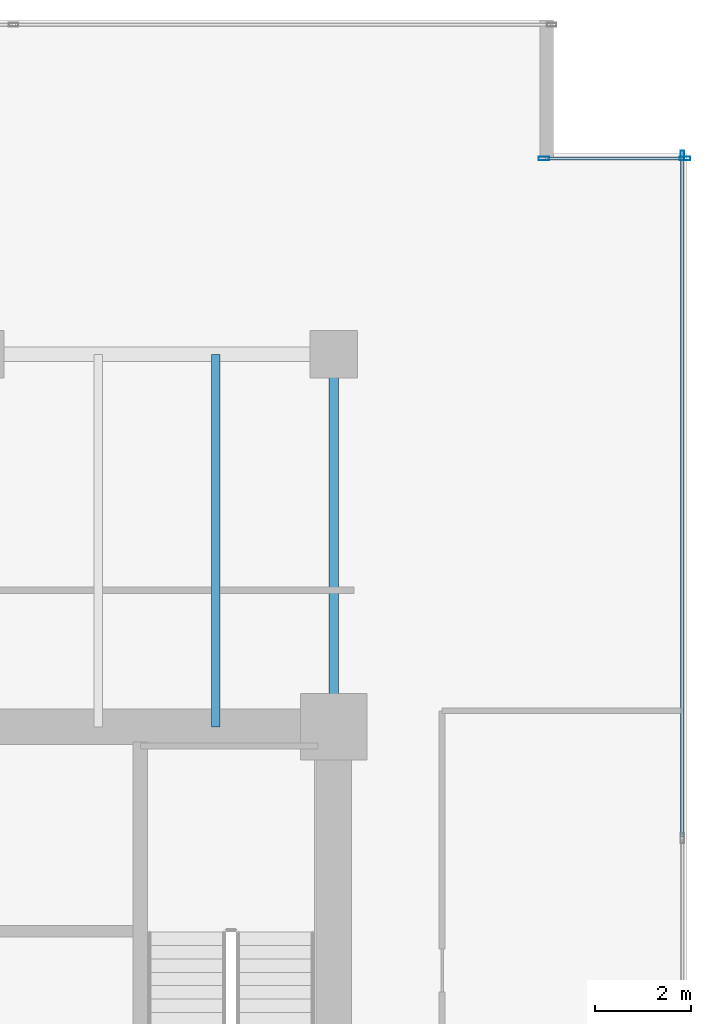
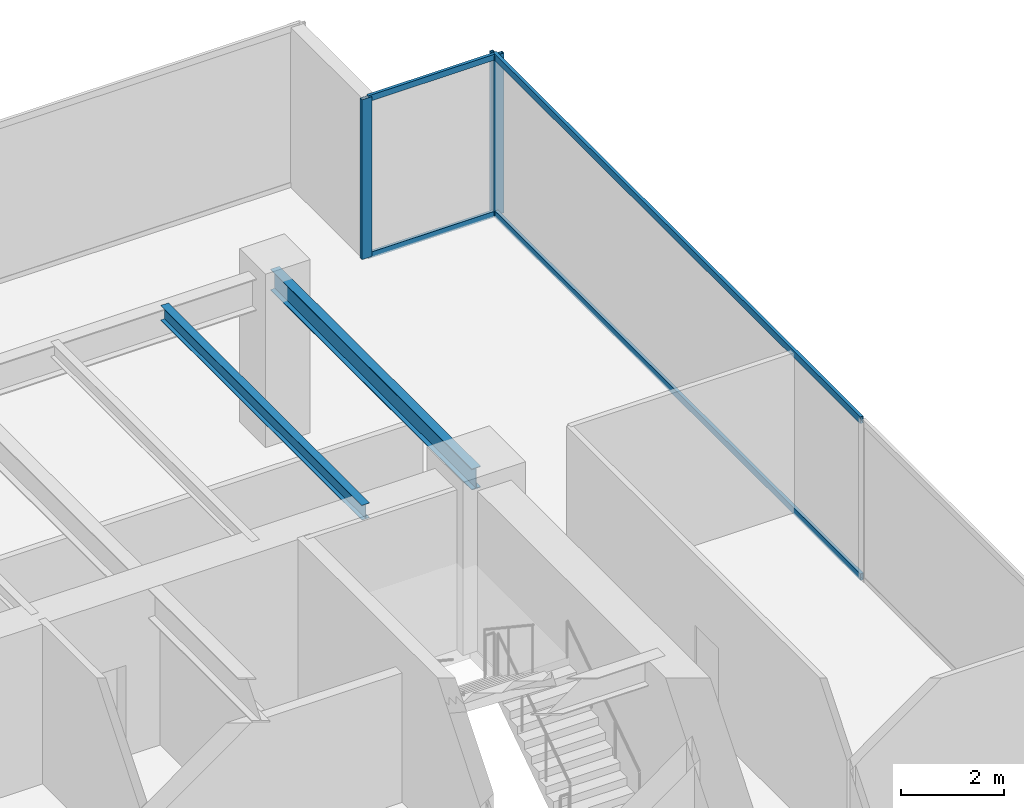
# One storey, part 26 of 35: 7 members, 2 beams, 2 elements without a shape of their own.
"""IFC4 building model written with IfcOpenShell, lengths in metres."""

from ifc_helpers import new_model, si_unit, direction, frame, origin, origin_2d, place, context, subcontext, project, spatial, hollow_rectangle, i_section, extrude, source, transform, mapped, material, layer, layer_set, material_profile, profile_set, type_object, type_shapes, element, aggregate, save


model = new_model("IFC4")

# Units and contexts
model_context = context("Model", 3, precision=1e-05, world=origin(), true_north=direction((0.0, 1.0)))
body_context = subcontext(model_context, "Body", "Model", "MODEL_VIEW")
ifc_project = project(units=[si_unit("LENGTHUNIT", "METRE"), si_unit("AREAUNIT", "SQUARE_METRE"), si_unit("VOLUMEUNIT", "CUBIC_METRE"), si_unit("PLANEANGLEUNIT", "RADIAN"), si_unit("MASSUNIT", "GRAM", prefix="KILO")], contexts=[model_context])

# Site, building, storey
site_placement = place(None, origin())
site = spatial("IfcSite", under=ifc_project, at=site_placement, CompositionType="ELEMENT")
building_placement = place(site_placement, origin())
building = spatial("IfcBuilding", under=site, at=building_placement, Name="Haelvirn Gate Laboratories", CompositionType="ELEMENT")
storey_placement = place(building_placement, frame((0.0, 0.0, 37.5)))
storey = spatial("IfcBuildingStorey", under=building, at=storey_placement, Name="L09", CompositionType="ELEMENT", Elevation=37.5)

# Beams
ifc_material_1 = material(Name="Steel SM355", Category="steel")
ifc_material_profile_1 = material_profile(ifc_material_1, i_section(OverallWidth=0.199951171875, OverallDepth=0.5, WebThickness=0.010009765625, FlangeThickness=0.01611328125, at=origin_2d()), Name="H-500x200x10x16")
ifc_profile_set_1 = profile_set([ifc_material_profile_1], Name="Steel SM355")
beam_type_1 = type_object("IfcBeamType", Name="BM-SP-500", PredefinedType="SPANDREL", material=ifc_profile_set_1)
shared_shape_1 = source(origin(), body_context, "Body", "SweptSolid", [
    extrude(i_section(OverallWidth=0.199951171875, OverallDepth=0.5, WebThickness=0.010009765625, FlangeThickness=0.01611328125, at=origin_2d()), origin(), (0.0, 0.0, 1.0), 7.800048828125),
])
type_shapes(beam_type_1, [shared_shape_1])
beam_1_placement = place(storey_placement, frame((67.39990234375, 33.800048828125, 3.530029296875), z_axis=(0.0, 1.0, 0.0), x_axis=(-1.0, 0.0, 0.0)))
element("IfcBeam", 1, at=beam_1_placement, inside=storey, type_object=beam_type_1, Name="L09 Perimeter Spandrel X67.4 (33.8-41.6)", PredefinedType="SPANDREL", context=body_context, shape_type="MappedRepresentation", body=[
    mapped(shared_shape_1, transform((0.0, 0.0, 0.0), scale=1.0)),
])
ifc_material_profile_2 = material_profile(ifc_material_1, i_section(OverallWidth=0.175048828125, OverallDepth=0.35009765625, WebThickness=0.007080078125, FlangeThickness=0.010986328125, at=origin_2d()), Name="H-350x175x7x11")
ifc_profile_set_2 = profile_set([ifc_material_profile_2], Name="Steel SM355")
beam_type_2 = type_object("IfcBeamType", Name="BM-J-350", PredefinedType="JOIST", material=ifc_profile_set_2)
shared_shape_2 = source(origin(), body_context, "Body", "SweptSolid", [
    extrude(i_section(OverallWidth=0.175048828125, OverallDepth=0.35009765625, WebThickness=0.007080078125, FlangeThickness=0.010986328125, at=origin_2d()), origin(), (0.0, 0.0, 1.0), 7.800048828125),
])
type_shapes(beam_type_2, [shared_shape_2])
beam_2_placement = place(storey_placement, frame((64.929931640625, 33.800048828125, 3.60498046875), z_axis=(0.0, 1.0, 0.0), x_axis=(-1.0, 0.0, 0.0)))
element("IfcBeam", 2, at=beam_2_placement, inside=storey, type_object=beam_type_2, Name="L09 Composite Lab Joist North X64.93", PredefinedType="JOIST", context=body_context, shape_type="MappedRepresentation", body=[
    mapped(shared_shape_2, transform((0.0, 0.0, 0.0), scale=1.0)),
])

# Curtain wall, member
ifc_material_2 = material(Name="Anodised bronze unitised aluminium & triple low-E glass", Category="aluminium")
ifc_layer_1 = layer(ifc_material_2, 0.18408203125, Name="CW-SYS-2")
ifc_layer_set_1 = layer_set([ifc_layer_1], Name="Anodised bronze unitised aluminium & triple low-E glass")
curtain_wall_type_1 = type_object("IfcCurtainWallType", Name="CW-SYS-2", PredefinedType="NOTDEFINED", material=ifc_layer_set_1)
curtain_wall_1_placement = place(storey_placement, origin())
curtain_wall_1 = element("IfcCurtainWall", 3, at=curtain_wall_1_placement, inside=storey, type_object=curtain_wall_type_1, Name="L09 Unitised Curtain Wall CW-L09-P0-E07", PredefinedType="NOTDEFINED")
ifc_material_3 = material(Name="Extruded aluminium 6063-T6 (anodised bronze)", Category="aluminium")
ifc_material_profile_3 = material_profile(ifc_material_3, hollow_rectangle(XDim=0.074951171875, YDim=0.199951171875, WallThickness=0.0048828125, at=origin_2d()), Name="CWM-200x75x5")
ifc_profile_set_3 = profile_set([ifc_material_profile_3], Name="Extruded aluminium 6063-T6 (anodised bronze)")
member_type_1 = type_object("IfcMemberType", Name="CWM-T200", PredefinedType="MULLION", material=ifc_profile_set_3)
shared_shape_3 = source(origin(), body_context, "Body", "SweptSolid", [
    extrude(hollow_rectangle(XDim=0.074951171875, YDim=0.199951171875, WallThickness=0.0048828125, at=origin_2d()), origin(), (0.0, 0.0, 1.0), 3.780029296875),
])
type_shapes(member_type_1, [shared_shape_3])
member_1_placement = place(storey_placement, frame((74.699951171875, 45.762451171875, 0.0), z_axis=(0.0, 0.0, 1.0), x_axis=(-1.0, 0.0, 0.0)))
member_1 = element("IfcMember", 4, at=member_1_placement, type_object=member_type_1, Name="CW2 mullion 4", PredefinedType="MULLION", context=body_context, shape_type="MappedRepresentation", body=[
    mapped(shared_shape_3, transform((0.0, 0.0, 0.0), scale=1.0)),
])

# Curtain wall, members
ifc_layer_2 = layer(ifc_material_2, 0.181884765625, Name="CW-SYS-5")
ifc_layer_set_2 = layer_set([ifc_layer_2], Name="Anodised bronze unitised aluminium & triple low-E glass")
curtain_wall_type_2 = type_object("IfcCurtainWallType", Name="CW-SYS-5", PredefinedType="NOTDEFINED", material=ifc_layer_set_2)
curtain_wall_2_placement = place(storey_placement, origin())
curtain_wall_2 = element("IfcCurtainWall", 5, at=curtain_wall_2_placement, inside=storey, type_object=curtain_wall_type_2, Name="L09 Unitised Curtain Wall CW-L09-P0-E08-1", PredefinedType="NOTDEFINED")
ifc_material_profile_4 = material_profile(ifc_material_3, hollow_rectangle(XDim=0.080078125, YDim=0.219970703125, WallThickness=0.006103515625, at=origin_2d()), Name="CWM-220x80x6")
ifc_profile_set_4 = profile_set([ifc_material_profile_4], Name="Extruded aluminium 6063-T6 (anodised bronze)")
member_type_2 = type_object("IfcMemberType", Name="CWM-T220", PredefinedType="MULLION", material=ifc_profile_set_4)
shared_shape_4 = source(origin(), body_context, "Body", "SweptSolid", [
    extrude(hollow_rectangle(XDim=0.080078125, YDim=0.219970703125, WallThickness=0.006103515625, at=origin_2d()), origin(), (0.0, 0.0, 1.0), 3.780029296875),
])
type_shapes(member_type_2, [shared_shape_4])
member_2_placement = place(storey_placement, frame((71.800048828125, 45.699951171875, 0.0), z_axis=(0.0, 0.0, 1.0), x_axis=(0.0, 1.0, 0.0)))
member_2 = element("IfcMember", 6, at=member_2_placement, type_object=member_type_2, Name="CW5 mullion 1", PredefinedType="MULLION", context=body_context, shape_type="MappedRepresentation", body=[
    mapped(shared_shape_4, transform((0.0, 0.0, 0.0), scale=1.0)),
])
member_3_placement = place(storey_placement, frame((74.760009765625, 45.699951171875, 0.0), z_axis=(0.0, 0.0, 1.0), x_axis=(0.0, 1.0, 0.0)))
member_3 = element("IfcMember", 7, at=member_3_placement, type_object=member_type_2, Name="CW5 mullion 2", PredefinedType="MULLION", context=body_context, shape_type="MappedRepresentation", body=[
    mapped(shared_shape_4, transform((0.0, 0.0, 0.0), scale=1.0)),
])
ifc_material_profile_5 = material_profile(ifc_material_3, hollow_rectangle(XDim=0.06494140625, YDim=0.139892578125, WallThickness=0.00390625, at=origin_2d()), Name="CWT-140x65x4")
ifc_profile_set_5 = profile_set([ifc_material_profile_5], Name="Extruded aluminium 6063-T6 (anodised bronze)")
member_type_3 = type_object("IfcMemberType", Name="CWT-T140", PredefinedType="USERDEFINED", material=ifc_profile_set_5)
shared_shape_5 = source(origin(), body_context, "Body", "SweptSolid", [
    extrude(hollow_rectangle(XDim=0.06494140625, YDim=0.139892578125, WallThickness=0.00390625, at=origin_2d()), origin(), (0.0, 0.0, 1.0), 2.8798828125),
])
type_shapes(member_type_3, [shared_shape_5])
member_4_placement = place(storey_placement, frame((71.840087890625, 45.699951171875, 0.032470703125), z_axis=(1.0, 0.0, 0.0), x_axis=(0.0, 1.0, 0.0)))
member_4 = element("IfcMember", 8, at=member_4_placement, type_object=member_type_3, Name="CW5 transom 1.1", ObjectType="TRANSOM", PredefinedType="USERDEFINED", context=body_context, shape_type="MappedRepresentation", body=[
    mapped(shared_shape_5, transform((0.0, 0.0, 0.0), scale=1.0)),
])
member_5_placement = place(storey_placement, frame((71.840087890625, 45.699951171875, 3.74755859375), z_axis=(1.0, 0.0, 0.0), x_axis=(0.0, 1.0, 0.0)))
member_5 = element("IfcMember", 9, at=member_5_placement, type_object=member_type_3, Name="CW5 transom 1.2", ObjectType="TRANSOM", PredefinedType="USERDEFINED", context=body_context, shape_type="MappedRepresentation", body=[
    mapped(shared_shape_5, transform((0.0, 0.0, 0.0), scale=1.0)),
])
aggregate(curtain_wall_2, [member_2, member_3, member_4, member_5])

# Member
ifc_material_profile_6 = material_profile(ifc_material_3, hollow_rectangle(XDim=0.070068359375, YDim=0.159912109375, WallThickness=0.0048828125, at=origin_2d()), Name="CWT-160x70x5")
ifc_profile_set_6 = profile_set([ifc_material_profile_6], Name="Extruded aluminium 6063-T6 (anodised bronze)")
member_type_4 = type_object("IfcMemberType", Name="CWT-T160", PredefinedType="USERDEFINED", material=ifc_profile_set_6)
shared_shape_6 = source(origin(), body_context, "Body", "SweptSolid", [
    extrude(hollow_rectangle(XDim=0.070068359375, YDim=0.159912109375, WallThickness=0.0048828125, at=origin_2d()), origin(), (0.0, 0.0, 1.0), 14.220947265625),
])
type_shapes(member_type_4, [shared_shape_6])
member_6_placement = place(storey_placement, frame((74.699951171875, 31.504150390625, 0.034912109375), z_axis=(0.0, 1.0, 0.0), x_axis=(-1.0, 0.0, 0.0)))
member_6 = element("IfcMember", 10, at=member_6_placement, type_object=member_type_4, Name="CW2 transom 3.1", ObjectType="TRANSOM", PredefinedType="USERDEFINED", context=body_context, shape_type="MappedRepresentation", body=[
    mapped(shared_shape_6, transform((0.0, 0.0, 0.0), scale=1.0)),
])

member_7_placement = place(storey_placement, frame((74.699951171875, 31.504150390625, 3.7451171875), z_axis=(0.0, 1.0, 0.0), x_axis=(-1.0, 0.0, 0.0)))
member_7 = element("IfcMember", 11, at=member_7_placement, type_object=member_type_4, Name="CW2 transom 3.2", ObjectType="TRANSOM", PredefinedType="USERDEFINED", context=body_context, shape_type="MappedRepresentation", body=[
    mapped(shared_shape_6, transform((0.0, 0.0, 0.0), scale=1.0)),
])

aggregate(curtain_wall_1, [member_1, member_6, member_7])

save(model, "model.ifc")
